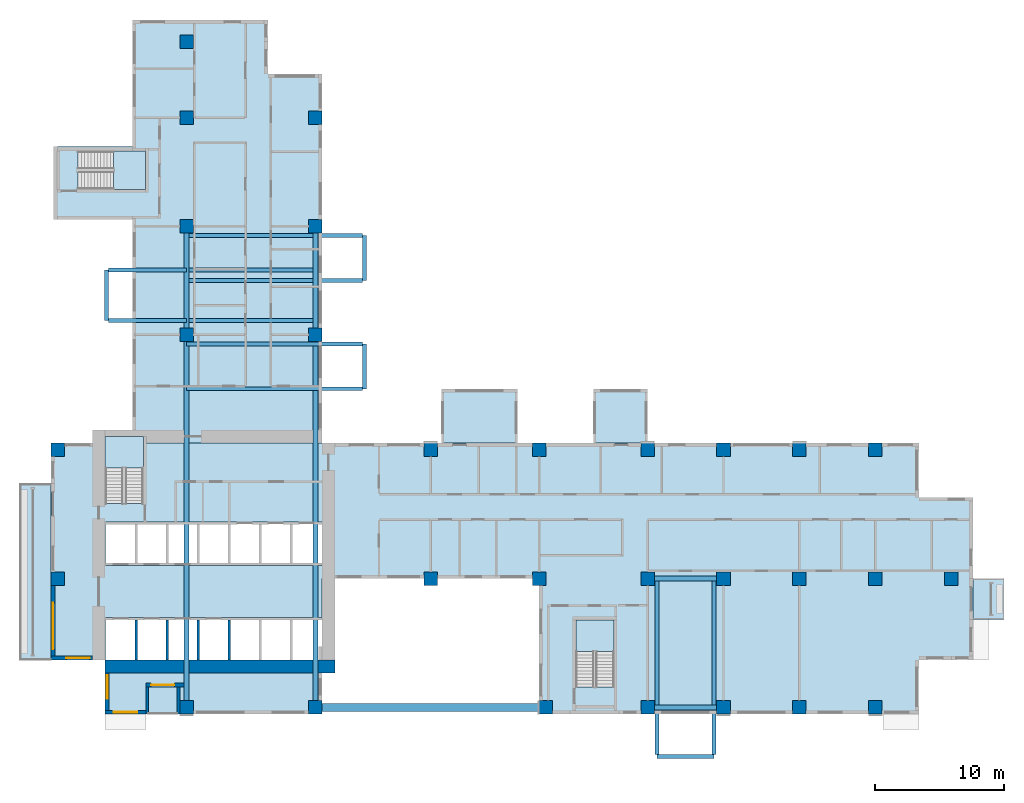
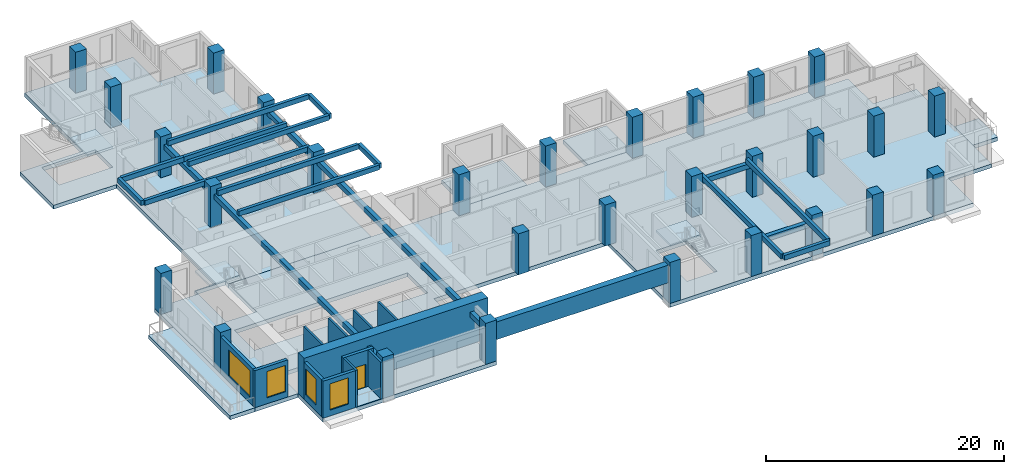
# One storey, part 1 of 14: 29 columns, 21 beams, 12 walls, 10 slabs, 4 windows, 1 door, 5 openings, 3 elements without a shape of their own.
"""IFC4 building model written with IfcOpenShell, lengths in metres."""

from ifc_helpers import new_model, si_unit, direction, frame, frame_2d, origin, origin_2d, place, context, subcontext, project, spatial, polyline, rectangle, outline, extrude, source, transform, mapped, material, layer, layer_set, material_profile, profile_set, type_object, element, fill, aggregate, save


model = new_model("IFC4")

# Units and contexts
model_context = context("Model", 3, precision=1e-05, world=origin(), true_north=direction((0.0, 1.0)))
body_context = subcontext(model_context, "Body", "Model", "MODEL_VIEW")
ifc_project = project(units=[si_unit("LENGTHUNIT", "METRE"), si_unit("AREAUNIT", "SQUARE_METRE"), si_unit("VOLUMEUNIT", "CUBIC_METRE"), si_unit("PLANEANGLEUNIT", "RADIAN"), si_unit("MASSUNIT", "GRAM", prefix="KILO")], contexts=[model_context])

# Site, building, storey
site_placement = place(None, origin())
site = spatial("IfcSite", under=ifc_project, at=site_placement, CompositionType="ELEMENT")
building_placement = place(site_placement, origin())
building = spatial("IfcBuilding", under=site, at=building_placement, Name="Aurelian Terraces", CompositionType="ELEMENT")
storey_placement = place(building_placement, frame((0.0, 0.0, 103.5)))
storey = spatial("IfcBuildingStorey", under=building, at=storey_placement, Name="L22", CompositionType="ELEMENT", Elevation=103.5)

# Columns
ifc_material_1 = material(Name="Concrete fc' 83 MPa", Category="concrete")
ifc_material_profile_1 = material_profile(ifc_material_1, rectangle(XDim=1.05, YDim=1.05, at=origin_2d()))
ifc_profile_set_1 = profile_set([ifc_material_profile_1], Name="Concrete fc' 83 MPa")
column_type = type_object("IfcColumnType", Name="RC COLUMN 1050X1050 FC83", PredefinedType="COLUMN", material=ifc_profile_set_1)
column_placement = place(storey_placement, frame((10.5, 0.525, 0.0), z_axis=(0.0, 0.0, 1.0), x_axis=(1.0, 0.0, 0.0)))
element("IfcColumn", 1, at=column_placement, inside=storey, type_object=column_type, Name="Column 2/A L22", PredefinedType="COLUMN", context=body_context, shape_type="SweptSolid", body=[
    extrude(rectangle(XDim=1.05, YDim=1.05, at=origin_2d()), origin(), (0.0, 0.0, 1.0), 4.2),
])
shared_shape_1 = source(origin(), body_context, "Body", "SweptSolid", [
    extrude(rectangle(XDim=1.05, YDim=1.05, at=origin_2d()), origin(), (0.0, 0.0, 1.0), 4.2),
])
for number, where, z_axis, x_axis, name in (
    (2, (20.475, 0.525, 0.0), (0.0, 0.0, 1.0), (1.0, 0.0, 0.0), "Column 3/A L22"),
    (3, (38.325, 0.525, 0.0), (0.0, 0.0, 1.0), (1.0, 0.0, 0.0), "Column 5/A L22"),
    (4, (46.2, 0.525, 0.0), (0.0, 0.0, 1.0), (1.0, 0.0, 0.0), "Column 6/A L22"),
    (5, (52.08, 0.525, 0.0), (0.0, 0.0, 1.0), (1.0, 0.0, 0.0), "Column 7/A L22"),
    (6, (57.96, 0.525, 0.0), (0.0, 0.0, 1.0), (1.0, 0.0, 0.0), "Column 8/A L22"),
    (7, (63.84, 0.525, 0.0), (0.0, 0.0, 1.0), (1.0, 0.0, 0.0), "Column 9/A L22"),
    (8, (0.525, 10.5, 0.0), (0.0, 0.0, 1.0), (1.0, 0.0, 0.0), "Column 1/B L22"),
    (9, (29.4, 10.5, 0.0), (0.0, 0.0, 1.0), (1.0, 0.0, 0.0), "Column 4/B L22"),
    (10, (37.8, 10.5, 0.0), (0.0, 0.0, 1.0), (1.0, 0.0, 0.0), "Column 5/B L22"),
    (11, (46.2, 10.5, 0.0), (0.0, 0.0, 1.0), (1.0, 0.0, 0.0), "Column 6/B L22"),
    (12, (52.08, 10.5, 0.0), (0.0, 0.0, 1.0), (1.0, 0.0, 0.0), "Column 7/B L22"),
    (13, (57.96, 10.5, 0.0), (0.0, 0.0, 1.0), (1.0, 0.0, 0.0), "Column 8/B L22"),
    (14, (63.84, 10.5, 0.0), (0.0, 0.0, 1.0), (1.0, 0.0, 0.0), "Column 9/B L22"),
    (15, (69.72, 10.5, 0.0), (0.0, 0.0, 1.0), (1.0, 0.0, 0.0), "Column 10/B L22"),
    (16, (0.525, 20.475, 0.0), (0.0, 0.0, 1.0), (1.0, 0.0, 0.0), "Column 1/C L22"),
    (17, (29.4, 20.475, 0.0), (0.0, 0.0, 1.0), (1.0, 0.0, 0.0), "Column 4/C L22"),
    (18, (37.8, 20.475, 0.0), (0.0, 0.0, 1.0), (1.0, 0.0, 0.0), "Column 5/C L22"),
    (19, (46.2, 20.475, 0.0), (0.0, 0.0, 1.0), (1.0, 0.0, 0.0), "Column 6/C L22"),
    (20, (52.08, 20.475, 0.0), (0.0, 0.0, 1.0), (1.0, 0.0, 0.0), "Column 7/C L22"),
    (21, (57.96, 20.475, 0.0), (0.0, 0.0, 1.0), (1.0, 0.0, 0.0), "Column 8/C L22"),
    (22, (63.84, 20.475, 0.0), (0.0, 0.0, 1.0), (1.0, 0.0, 0.0), "Column 9/C L22"),
    (23, (10.5, 29.4, 0.0), (0.0, 0.0, 1.0), (1.0, 0.0, 0.0), "Column 2/D L22"),
    (24, (20.475, 29.4, 0.0), (0.0, 0.0, 1.0), (1.0, 0.0, 0.0), "Column 3/D L22"),
    (25, (10.5, 37.8, 0.0), (0.0, 0.0, 1.0), (1.0, 0.0, 0.0), "Column 2/E L22"),
    (26, (20.475, 37.8, 0.0), (0.0, 0.0, 1.0), (1.0, 0.0, 0.0), "Column 3/E L22"),
    (27, (10.5, 46.2, 0.0), (0.0, 0.0, 1.0), (1.0, 0.0, 0.0), "Column 2/F L22"),
    (28, (20.475, 46.2, 0.0), (0.0, 0.0, 1.0), (1.0, 0.0, 0.0), "Column 3/F L22"),
    (29, (10.5, 52.08, 0.0), (0.0, 0.0, 1.0), (1.0, 0.0, 0.0), "Column 2/G L22"),
):
    element("IfcColumn", number, at=place(storey_placement, frame(where, z_axis=z_axis, x_axis=x_axis)), inside=storey, type_object=column_type, Name=name, PredefinedType="COLUMN", context=body_context, shape_type="MappedRepresentation", body=[
        mapped(shared_shape_1, transform((0.0, 0.0, 0.0), scale=1.0)),
    ])

# Beams
ifc_material_2 = material(Name="Concrete fc' 40 MPa", Category="concrete")
ifc_material_profile_2 = material_profile(ifc_material_2, rectangle(XDim=0.3, YDim=0.5, at=origin_2d()))
ifc_profile_set_2 = profile_set([ifc_material_profile_2], Name="Concrete fc' 40 MPa")
beam_type_1 = type_object("IfcBeamType", Name="CONCRETE BOX CANTILEVER BEAM 300X500", PredefinedType="BEAM", material=ifc_profile_set_2)
beam_1_placement = place(storey_placement, frame((4.45, 30.5, 3.55), z_axis=(1.0, 0.0, 0.0), x_axis=(0.0, 1.0, 0.0)))
element("IfcBeam", 30, at=beam_1_placement, inside=storey, type_object=beam_type_1, Name="Box cantilever beam J34.1", PredefinedType="BEAM", context=body_context, shape_type="SweptSolid", body=[
    extrude(rectangle(XDim=0.3, YDim=0.5, at=origin_2d()), origin(), (0.0, 0.0, 1.0), 6.05),
])
ifc_material_profile_3 = material_profile(ifc_material_2, rectangle(XDim=0.3, YDim=0.5, at=origin_2d()))
ifc_profile_set_3 = profile_set([ifc_material_profile_3], Name="Concrete fc' 40 MPa")
beam_type_2 = type_object("IfcBeamType", Name="CONCRETE CANTILEVER BEAM 300X500", PredefinedType="BEAM", material=ifc_profile_set_3)
beam_2_placement = place(storey_placement, frame((46.925, -3.125, 3.55), z_axis=(0.0, 1.0, 0.0), x_axis=(-1.0, 0.0, 0.0)))
element("IfcBeam", 31, at=beam_2_placement, inside=storey, type_object=beam_type_2, Name="Box cantilever beam J31.1", PredefinedType="BEAM", context=body_context, shape_type="SweptSolid", body=[
    extrude(rectangle(XDim=0.3, YDim=0.5, at=origin_2d()), origin(), (0.0, 0.0, 1.0), 13.625),
])
beam_3_placement = place(storey_placement, frame((46.925, -3.275, 3.55), z_axis=(1.0, 0.0, 0.0), x_axis=(0.0, 1.0, 0.0)))
element("IfcBeam", 32, at=beam_3_placement, inside=storey, type_object=beam_type_2, Name="Box tip beam J31", PredefinedType="BEAM", context=body_context, shape_type="SweptSolid", body=[
    extrude(rectangle(XDim=0.3, YDim=0.5, at=origin_2d()), origin(), (0.0, 0.0, 1.0), 4.43),
])
beam_4_placement = place(storey_placement, frame((24.275, 25.2, 3.55), z_axis=(0.0, 1.0, 0.0), x_axis=(-1.0, 0.0, 0.0)))
element("IfcBeam", 33, at=beam_4_placement, inside=storey, type_object=beam_type_2, Name="Box tip beam J32", PredefinedType="BEAM", context=body_context, shape_type="SweptSolid", body=[
    extrude(rectangle(XDim=0.3, YDim=0.5, at=origin_2d()), origin(), (0.0, 0.0, 1.0), 3.475),
])
beam_5_placement = place(storey_placement, frame((10.5, 30.5, 3.55), z_axis=(1.0, 0.0, 0.0), x_axis=(0.0, 1.0, 0.0)))
element("IfcBeam", 34, at=beam_5_placement, inside=storey, type_object=beam_type_2, Name="Box back-span beam J34.1", PredefinedType="BEAM", context=body_context, shape_type="SweptSolid", body=[
    extrude(rectangle(XDim=0.3, YDim=0.5, at=origin_2d()), origin(), (0.0, 0.0, 1.0), 9.975),
])
beam_6_placement = place(storey_placement, frame((4.3, 30.5, 3.55), z_axis=(0.0, 1.0, 0.0), x_axis=(-1.0, 0.0, 0.0)))
element("IfcBeam", 35, at=beam_6_placement, inside=storey, type_object=beam_type_2, Name="Box tip beam J34", PredefinedType="BEAM", context=body_context, shape_type="SweptSolid", body=[
    extrude(rectangle(XDim=0.3, YDim=0.5, at=origin_2d()), origin(), (0.0, 0.0, 1.0), 3.9),
])
ifc_material_profile_4 = material_profile(ifc_material_2, rectangle(XDim=0.4, YDim=0.5, at=origin_2d()))
ifc_profile_set_4 = profile_set([ifc_material_profile_4], Name="Concrete fc' 40 MPa")
beam_type_3 = type_object("IfcBeamType", Name="CONCRETE EDGE GIRDER 400X500", PredefinedType="BEAM", material=ifc_profile_set_4)
beam_7_placement = place(storey_placement, frame((46.725, 0.525, 3.05), z_axis=(1.0, 0.0, 0.0), x_axis=(0.0, 1.0, 0.0)))
element("IfcBeam", 36, at=beam_7_placement, inside=storey, type_object=beam_type_3, Name="Box girder L22 O65", PredefinedType="BEAM", context=body_context, shape_type="SweptSolid", body=[
    extrude(rectangle(XDim=0.4, YDim=0.5, at=origin_2d()), origin(), (0.0, 0.0, 1.0), 4.83),
])
beam_8_placement = place(storey_placement, frame((20.475, 1.05, 3.05), z_axis=(0.0, 1.0, 0.0), x_axis=(-1.0, 0.0, 0.0)))
element("IfcBeam", 37, at=beam_8_placement, inside=storey, type_object=beam_type_3, Name="Box girder L22 O67", PredefinedType="BEAM", context=body_context, shape_type="SweptSolid", body=[
    extrude(rectangle(XDim=0.4, YDim=0.5, at=origin_2d()), origin(), (0.0, 0.0, 1.0), 27.825),
])
beam_9_placement = place(storey_placement, frame((20.475, 29.925, 3.05), z_axis=(0.0, 1.0, 0.0), x_axis=(-1.0, 0.0, 0.0)))
element("IfcBeam", 38, at=beam_9_placement, inside=storey, type_object=beam_type_3, Name="Box girder L22 O69", PredefinedType="BEAM", context=body_context, shape_type="SweptSolid", body=[
    extrude(rectangle(XDim=0.4, YDim=0.5, at=origin_2d()), origin(), (0.0, 0.0, 1.0), 7.35),
])
ifc_material_3 = material(Name="Concrete fc' 70 MPa", Category="concrete")
ifc_material_profile_5 = material_profile(ifc_material_3, rectangle(XDim=0.6, YDim=1.8, at=origin_2d()))
ifc_profile_set_5 = profile_set([ifc_material_profile_5], Name="Concrete fc' 70 MPa")
beam_type_4 = type_object("IfcBeamType", Name="CONCRETE HEAD GIRDER 600X1800", PredefinedType="BEAM", material=ifc_profile_set_5)
shared_shape_2 = source(origin(), body_context, "Body", "SweptSolid", [
    extrude(rectangle(XDim=0.6, YDim=1.8, at=origin_2d()), origin(), (0.0, 0.0, 1.0), 16.8),
])
beam_10_placement = place(storey_placement, frame((21.0, 0.525, 2.9), z_axis=(1.0, 0.0, 0.0), x_axis=(0.0, 1.0, 0.0)))
element("IfcBeam", 39, at=beam_10_placement, inside=storey, type_object=beam_type_4, Name="Sky terrace head girder SKY-03.1", PredefinedType="BEAM", context=body_context, shape_type="MappedRepresentation", body=[
    mapped(shared_shape_2, transform((0.0, 0.0, 0.0), scale=1.0)),
])
shared_shape_3 = source(origin(), body_context, "Body", "SweptSolid", [
    extrude(rectangle(XDim=0.4, YDim=0.5, at=origin_2d()), origin(), (0.0, 0.0, 1.0), 4.83),
])
beam_11_placement = place(storey_placement, frame((46.725, 10.5, 3.05), z_axis=(1.0, 0.0, 0.0), x_axis=(0.0, 1.0, 0.0)))
element("IfcBeam", 40, at=beam_11_placement, inside=storey, type_object=beam_type_3, Name="Box girder L22 I66", PredefinedType="BEAM", context=body_context, shape_type="MappedRepresentation", body=[
    mapped(shared_shape_3, transform((0.0, 0.0, 0.0), scale=1.0)),
])
shared_shape_4 = source(origin(), body_context, "Body", "SweptSolid", [
    extrude(rectangle(XDim=0.3, YDim=0.5, at=origin_2d()), origin(), (0.0, 0.0, 1.0), 13.625),
])
for number, where, z_axis, x_axis, name in (
    (41, (51.355, -3.125, 3.55), (0.0, 1.0, 0.0), (-1.0, 0.0, 0.0), "Box cantilever beam J31.2"),
    (42, (24.125, 25.2, 3.55), (-1.0, 0.0, 0.0), (0.0, -1.0, 0.0), "Box cantilever beam J32.1"),
    (43, (24.125, 28.675, 3.55), (-1.0, 0.0, 0.0), (0.0, -1.0, 0.0), "Box cantilever beam J32.2"),
    (44, (24.125, 33.6, 3.55), (-1.0, 0.0, 0.0), (0.0, -1.0, 0.0), "Box cantilever beam J33.1"),
    (45, (24.125, 37.075, 3.55), (-1.0, 0.0, 0.0), (0.0, -1.0, 0.0), "Box cantilever beam J33.2"),
):
    element("IfcBeam", number, at=place(storey_placement, frame(where, z_axis=z_axis, x_axis=x_axis)), inside=storey, type_object=beam_type_2, Name=name, PredefinedType="BEAM", context=body_context, shape_type="MappedRepresentation", body=[
        mapped(shared_shape_4, transform((0.0, 0.0, 0.0), scale=1.0)),
    ])
shared_shape_5 = source(origin(), body_context, "Body", "SweptSolid", [
    extrude(rectangle(XDim=0.4, YDim=0.5, at=origin_2d()), origin(), (0.0, 0.0, 1.0), 27.825),
])
beam_12_placement = place(storey_placement, frame((10.5, 1.05, 3.05), z_axis=(0.0, 1.0, 0.0), x_axis=(-1.0, 0.0, 0.0)))
element("IfcBeam", 46, at=beam_12_placement, inside=storey, type_object=beam_type_3, Name="Box girder L22 I68", PredefinedType="BEAM", context=body_context, shape_type="MappedRepresentation", body=[
    mapped(shared_shape_5, transform((0.0, 0.0, 0.0), scale=1.0)),
])
shared_shape_6 = source(origin(), body_context, "Body", "SweptSolid", [
    extrude(rectangle(XDim=0.4, YDim=0.5, at=origin_2d()), origin(), (0.0, 0.0, 1.0), 7.35),
])
beam_13_placement = place(storey_placement, frame((10.5, 29.925, 3.05), z_axis=(0.0, 1.0, 0.0), x_axis=(-1.0, 0.0, 0.0)))
element("IfcBeam", 47, at=beam_13_placement, inside=storey, type_object=beam_type_3, Name="Box girder L22 I70", PredefinedType="BEAM", context=body_context, shape_type="MappedRepresentation", body=[
    mapped(shared_shape_6, transform((0.0, 0.0, 0.0), scale=1.0)),
])
shared_shape_7 = source(origin(), body_context, "Body", "SweptSolid", [
    extrude(rectangle(XDim=0.3, YDim=0.5, at=origin_2d()), origin(), (0.0, 0.0, 1.0), 3.475),
])
beam_14_placement = place(storey_placement, frame((24.275, 33.6, 3.55), z_axis=(0.0, 1.0, 0.0), x_axis=(-1.0, 0.0, 0.0)))
element("IfcBeam", 48, at=beam_14_placement, inside=storey, type_object=beam_type_2, Name="Box tip beam J33", PredefinedType="BEAM", context=body_context, shape_type="MappedRepresentation", body=[
    mapped(shared_shape_7, transform((0.0, 0.0, 0.0), scale=1.0)),
])
shared_shape_8 = source(origin(), body_context, "Body", "SweptSolid", [
    extrude(rectangle(XDim=0.3, YDim=0.5, at=origin_2d()), origin(), (0.0, 0.0, 1.0), 6.05),
])
beam_15_placement = place(storey_placement, frame((4.45, 34.4, 3.55), z_axis=(1.0, 0.0, 0.0), x_axis=(0.0, 1.0, 0.0)))
element("IfcBeam", 49, at=beam_15_placement, inside=storey, type_object=beam_type_1, Name="Box cantilever beam J34.2", PredefinedType="BEAM", context=body_context, shape_type="MappedRepresentation", body=[
    mapped(shared_shape_8, transform((0.0, 0.0, 0.0), scale=1.0)),
])
shared_shape_9 = source(origin(), body_context, "Body", "SweptSolid", [
    extrude(rectangle(XDim=0.3, YDim=0.5, at=origin_2d()), origin(), (0.0, 0.0, 1.0), 9.975),
])
beam_16_placement = place(storey_placement, frame((10.5, 34.4, 3.55), z_axis=(1.0, 0.0, 0.0), x_axis=(0.0, 1.0, 0.0)))
element("IfcBeam", 50, at=beam_16_placement, inside=storey, type_object=beam_type_2, Name="Box back-span beam J34.2", PredefinedType="BEAM", context=body_context, shape_type="MappedRepresentation", body=[
    mapped(shared_shape_9, transform((0.0, 0.0, 0.0), scale=1.0)),
])

# Slabs
ifc_layer_1 = layer(ifc_material_2, 0.4)
ifc_layer_set_1 = layer_set([ifc_layer_1], Name="Balcony slab 400")
slab_type_1 = type_object("IfcSlabType", Name="Balcony slab 400", PredefinedType="NOTDEFINED", material=ifc_layer_set_1)
slab_1_placement = place(storey_placement, frame((0.0, 0.0, -0.4)))
element("IfcSlab", 51, at=slab_1_placement, inside=storey, type_object=slab_type_1, Name="Balcony slab L22 F24.41", PredefinedType="NOTDEFINED", context=body_context, shape_type="SweptSolid", body=[
    extrude(outline(polyline([(0.0, 17.85), (0.0, 4.2), (-2.4, 4.2), (-2.4, 17.85), (0.0, 17.85)])), origin(), (0.0, 0.0, 1.0), 0.4),
])
ifc_layer_2 = layer(ifc_material_2, 0.41)
ifc_layer_set_2 = layer_set([ifc_layer_2], Name="Box floor 410")
slab_type_2 = type_object("IfcSlabType", Name="Box floor 410", PredefinedType="NOTDEFINED", material=ifc_layer_set_2)
slab_2_placement = place(storey_placement, frame((0.0, 0.0, -0.41)))
element("IfcSlab", 52, at=slab_2_placement, inside=storey, type_object=slab_type_2, Name="Box floor L22 J30", PredefinedType="NOTDEFINED", context=body_context, shape_type="SweptSolid", body=[
    extrude(outline(polyline([(46.2, 25.2), (42.0, 25.2), (42.0, 21.0), (46.2, 21.0), (46.2, 25.2)])), origin(), (0.0, 0.0, 1.0), 0.41),
])
ifc_material_4 = material(Name="Granite paving", Category="masonry")
ifc_layer_3 = layer(ifc_material_4, 0.05)
ifc_layer_set_3 = layer_set([ifc_layer_3], Name="Loggia paving 50")
slab_type_3 = type_object("IfcSlabType", Name="Loggia paving 50", PredefinedType="NOTDEFINED", material=ifc_layer_set_3)
slab_3_placement = place(storey_placement, origin())
element("IfcSlab", 53, at=slab_3_placement, inside=storey, type_object=slab_type_3, Name="Loggia floor L22 F01.2", PredefinedType="NOTDEFINED", context=body_context, shape_type="SweptSolid", body=[
    extrude(outline(polyline([(7.55, 0.0), (9.775, 0.0), (9.775, 2.1), (7.55, 2.1), (7.55, 0.0)])), origin(), (0.0, 0.0, 1.0), 0.05),
])
ifc_layer_4 = layer(ifc_material_2, 0.4)
ifc_layer_set_4 = layer_set([ifc_layer_4], Name="PT FLAT PLATE 400")
slab_type_4 = type_object("IfcSlabType", Name="PT FLAT PLATE 400", PredefinedType="FLOOR", material=ifc_layer_set_4)
shared_shape_10 = source(origin(), body_context, "Body", "SweptSolid", [
    extrude(outline(polyline([(71.4, 16.8), (71.4, 4.2), (67.2, 4.2), (67.2, 0.0), (37.8, 0.0), (37.8, 10.5), (21.0, 10.5), (21.0, 0.0), (4.2, 0.0), (4.2, 4.2), (0.0, 4.2), (0.0, 21.0), (4.21, 21.0), (4.21, 16.31), (7.14, 16.31), (7.14, 21.0), (21.0, 21.0), (67.2, 21.0), (67.2, 16.8), (71.4, 16.8)]), holes=[polyline([(40.66, 2.11), (43.59, 2.11), (43.59, 7.29), (40.66, 7.29), (40.66, 2.11)]), polyline([(4.21, 7.49), (4.21, 4.21), (20.99, 4.21), (20.99, 7.49), (4.21, 7.49)]), polyline([(4.21, 14.89), (4.21, 11.51), (20.99, 11.51), (20.99, 14.89), (4.21, 14.89)])]), origin(), (0.0, 0.0, 1.0), 0.4),
])
slab_4_placement = place(storey_placement, frame((0.0, 0.0, -0.4)))
element("IfcSlab", 54, at=slab_4_placement, inside=storey, type_object=slab_type_4, Name="Floor slab S L22", PredefinedType="FLOOR", context=body_context, shape_type="MappedRepresentation", body=[
    mapped(shared_shape_10, transform((0.0, 0.0, 0.0), scale=1.0)),
])
shared_shape_11 = source(origin(), body_context, "Body", "SweptSolid", [
    extrude(outline(polyline([(0.2, 43.95), (6.3, 43.95), (6.3, 49.56), (6.3, 53.76), (10.5, 53.76), (16.8, 53.76), (16.8, 49.56), (21.0, 49.56), (21.0, 21.0), (7.14, 21.0), (7.14, 21.49), (4.21, 21.49), (4.21, 21.0), (4.2, 21.0), (4.2, 21.6), (6.3, 21.6), (6.3, 38.3), (0.2, 38.3), (0.2, 43.95)]), holes=[polyline([(7.29, 43.59), (2.11, 43.59), (2.11, 40.66), (7.29, 40.66), (7.29, 43.59)])]), origin(), (0.0, 0.0, 1.0), 0.4),
])
slab_5_placement = place(storey_placement, frame((0.0, 0.0, -0.4)))
element("IfcSlab", 55, at=slab_5_placement, inside=storey, type_object=slab_type_4, Name="Floor slab W L22", PredefinedType="FLOOR", context=body_context, shape_type="MappedRepresentation", body=[
    mapped(shared_shape_11, transform((0.0, 0.0, 0.0), scale=1.0)),
])
shared_shape_12 = source(origin(), body_context, "Body", "SweptSolid", [
    extrude(outline(polyline([(36.12, 25.2), (30.24, 25.2), (30.24, 21.0), (36.12, 21.0), (36.12, 25.2)])), origin(), (0.0, 0.0, 1.0), 0.41),
])
slab_6_placement = place(storey_placement, frame((0.0, 0.0, -0.41)))
element("IfcSlab", 56, at=slab_6_placement, inside=storey, type_object=slab_type_2, Name="Box floor L22 J29", PredefinedType="NOTDEFINED", context=body_context, shape_type="MappedRepresentation", body=[
    mapped(shared_shape_12, transform((0.0, 0.0, 0.0), scale=1.0)),
])
shared_shape_13 = source(origin(), body_context, "Body", "SweptSolid", [
    extrude(outline(polyline([(71.4, 7.35), (71.4, 10.5), (73.8, 10.5), (73.8, 7.35), (71.4, 7.35)])), origin(), (0.0, 0.0, 1.0), 0.4),
])
slab_7_placement = place(storey_placement, frame((0.0, 0.0, -0.4)))
element("IfcSlab", 57, at=slab_7_placement, inside=storey, type_object=slab_type_1, Name="Balcony slab L22 F08.18", PredefinedType="NOTDEFINED", context=body_context, shape_type="MappedRepresentation", body=[
    mapped(shared_shape_13, transform((0.0, 0.0, 0.0), scale=1.0)),
])

# Stair, slab
stair_type = type_object("IfcStairType", Name="Stair 1400", PredefinedType="HALF_TURN_STAIR", material=ifc_material_2)
stair_1_placement = place(storey_placement, origin())
stair_1 = element("IfcStair", 58, at=stair_1_placement, inside=storey, type_object=stair_type, Name="L22 S1", PredefinedType="HALF_TURN_STAIR")
ifc_layer_5 = layer(ifc_material_2, 0.2)
ifc_layer_set_5 = layer_set([ifc_layer_5], Name="Stair landing 200")
slab_type_5 = type_object("IfcSlabType", Name="Stair landing 200", PredefinedType="LANDING", material=ifc_layer_set_5)
shared_shape_14 = source(origin(), body_context, "Body", "SweptSolid", [
    extrude(outline(polyline([(7.15, 19.05), (7.15, 21.5), (4.2, 21.5), (4.2, 19.05), (7.15, 19.05)])), origin(), (0.0, 0.0, 1.0), 0.2),
])
slab_8_placement = place(storey_placement, frame((0.0, 0.0, 1.9)))
slab_8 = element("IfcSlab", 59, at=slab_8_placement, type_object=slab_type_5, Name="S1 landing 1", PredefinedType="LANDING", context=body_context, shape_type="MappedRepresentation", body=[
    mapped(shared_shape_14, transform((0.0, 0.0, 0.0), scale=1.0)),
])
aggregate(stair_1, [slab_8])

stair_2_placement = place(storey_placement, origin())
stair_2 = element("IfcStair", 60, at=stair_2_placement, inside=storey, type_object=stair_type, Name="L22 S2", PredefinedType="HALF_TURN_STAIR")
shared_shape_15 = source(origin(), body_context, "Body", "SweptSolid", [
    extrude(outline(polyline([(43.6, 4.85), (43.6, 7.3), (40.65, 7.3), (40.65, 4.85), (43.6, 4.85)])), origin(), (0.0, 0.0, 1.0), 0.2),
])
slab_9_placement = place(storey_placement, frame((0.0, 0.0, 1.9)))
slab_9 = element("IfcSlab", 61, at=slab_9_placement, type_object=slab_type_5, Name="S2 landing 1", PredefinedType="LANDING", context=body_context, shape_type="MappedRepresentation", body=[
    mapped(shared_shape_15, transform((0.0, 0.0, 0.0), scale=1.0)),
])
aggregate(stair_2, [slab_9])

stair_3_placement = place(storey_placement, origin())
stair_3 = element("IfcStair", 62, at=stair_3_placement, inside=storey, type_object=stair_type, Name="L22 S3", PredefinedType="HALF_TURN_STAIR")
shared_shape_16 = source(origin(), body_context, "Body", "SweptSolid", [
    extrude(outline(polyline([(4.85, 40.65), (7.3, 40.65), (7.3, 43.6), (4.85, 43.6), (4.85, 40.65)])), origin(), (0.0, 0.0, 1.0), 0.2),
])
slab_10_placement = place(storey_placement, frame((0.0, 0.0, 1.9)))
slab_10 = element("IfcSlab", 63, at=slab_10_placement, type_object=slab_type_5, Name="S3 landing 1", PredefinedType="LANDING", context=body_context, shape_type="MappedRepresentation", body=[
    mapped(shared_shape_16, transform((0.0, 0.0, 0.0), scale=1.0)),
])
aggregate(stair_3, [slab_10])

# Wall, opening, window
ifc_material_5 = material(Name="Terracotta rainscreen cladding", Category="masonry")
ifc_layer_6 = layer(ifc_material_5, 0.3)
ifc_layer_set_6 = layer_set([ifc_layer_6], Name="EW-300")
wall_type_1 = type_object("IfcWallType", Name="EW-300", PredefinedType="STANDARD", material=ifc_layer_set_6)
wall_1_placement = place(storey_placement, frame((0.15, 9.975, 0.0), z_axis=(0.0, 0.0, 1.0), x_axis=(0.0, -1.0, 0.0)))
wall_1 = element("IfcWall", 64, at=wall_1_placement, inside=storey, type_object=wall_type_1, Name="External wall L22 F24.41", PredefinedType="STANDARD", context=body_context, shape_type="SweptSolid", body=[
    extrude(rectangle(XDim=5.775, YDim=0.3, at=frame_2d((2.8875, 0.0))), origin(), (0.0, 0.0, 1.0), 3.8),
])
shared_shape_17 = source(origin(), body_context, "Body", "SweptSolid", [
    extrude(rectangle(XDim=3.6, YDim=2.7, at=frame_2d((1.8, 1.35))), frame((0.0, 0.16, 0.0), z_axis=(0.0, -1.0, 0.0), x_axis=(1.0, 0.0, 0.0)), (0.0, 0.0, 1.0), 0.32),
])
opening_1_placement = place(wall_1_placement, frame((1.35, 0.0, 0.6)))
opening_1 = element("IfcOpeningElement", 65, at=opening_1_placement, cuts=wall_1, Name="Opening W3627", PredefinedType="OPENING", context=body_context, shape_type="MappedRepresentation", body=[
    mapped(shared_shape_17, transform((0.0, 0.0, 0.0), scale=1.0)),
])
ifc_material_6 = material(Name="Clear glazing", Category="glass")
window_type_1 = type_object("IfcWindowType", Name="W-3600x2700", PartitioningType="SINGLE_PANEL", PredefinedType="WINDOW", material=ifc_material_6)
shared_shape_18 = source(origin(), body_context, "Body", "SweptSolid", [
    extrude(rectangle(XDim=3.6, YDim=2.7, at=frame_2d((1.8, 1.35))), frame((0.0, 0.03, 0.0), z_axis=(0.0, -1.0, 0.0), x_axis=(1.0, 0.0, 0.0)), (0.0, 0.0, 1.0), 0.06),
])
window_1_placement = place(opening_1_placement, origin())
window_1 = element("IfcWindow", 66, at=window_1_placement, inside=storey, type_object=window_type_1, Name="Window L22 L22-F24-41-2", OverallHeight=2.7, OverallWidth=3.6, PartitioningType="SINGLE_PANEL", PredefinedType="WINDOW", context=body_context, shape_type="MappedRepresentation", body=[
    mapped(shared_shape_18, transform((0.0, 0.0, 0.0), scale=1.0)),
])
fill(opening_1, window_1)

wall_2_placement = place(storey_placement, frame((0.0, 4.35, 0.0), z_axis=(0.0, 0.0, 1.0), x_axis=(1.0, 0.0, 0.0)))
wall_2 = element("IfcWall", 67, at=wall_2_placement, inside=storey, type_object=wall_type_1, Name="External wall L22 F25.42", PredefinedType="STANDARD", context=body_context, shape_type="SweptSolid", body=[
    extrude(rectangle(XDim=3.2, YDim=0.3, at=frame_2d((1.6, 0.0))), origin(), (0.0, 0.0, 1.0), 3.8),
])
shared_shape_19 = source(origin(), body_context, "Body", "SweptSolid", [
    extrude(rectangle(XDim=1.8, YDim=2.7, at=frame_2d((0.9, 1.35))), frame((0.0, 0.16, 0.0), z_axis=(0.0, -1.0, 0.0), x_axis=(1.0, 0.0, 0.0)), (0.0, 0.0, 1.0), 0.32),
])
opening_2_placement = place(wall_2_placement, frame((1.2, 0.0, 0.6)))
opening_2 = element("IfcOpeningElement", 68, at=opening_2_placement, cuts=wall_2, Name="Opening W1827", PredefinedType="OPENING", context=body_context, shape_type="MappedRepresentation", body=[
    mapped(shared_shape_19, transform((0.0, 0.0, 0.0), scale=1.0)),
])
window_type_2 = type_object("IfcWindowType", Name="W-1800x2700", PartitioningType="SINGLE_PANEL", PredefinedType="WINDOW", material=ifc_material_6)
shared_shape_20 = source(origin(), body_context, "Body", "SweptSolid", [
    extrude(rectangle(XDim=1.8, YDim=2.7, at=frame_2d((0.9, 1.35))), frame((0.0, 0.03, 0.0), z_axis=(0.0, -1.0, 0.0), x_axis=(1.0, 0.0, 0.0)), (0.0, 0.0, 1.0), 0.06),
])
window_2_placement = place(opening_2_placement, origin())
window_2 = element("IfcWindow", 69, at=window_2_placement, inside=storey, type_object=window_type_2, Name="Window L22 L22-F25-42-0", OverallHeight=2.7, OverallWidth=1.8, PartitioningType="SINGLE_PANEL", PredefinedType="WINDOW", context=body_context, shape_type="MappedRepresentation", body=[
    mapped(shared_shape_20, transform((0.0, 0.0, 0.0), scale=1.0)),
])
fill(opening_2, window_2)

# Wall
ifc_layer_7 = layer(ifc_material_1, 1.0)
ifc_layer_set_7 = layer_set([ifc_layer_7], Name="CORE WALL 1000 FC83")
wall_type_2 = type_object("IfcWallType", Name="CORE WALL 1000 FC83", PredefinedType="SHEAR", material=ifc_layer_set_7)
shared_shape_21 = source(origin(), body_context, "Body", "SweptSolid", [
    extrude(rectangle(XDim=17.8, YDim=1.0, at=frame_2d((8.9, 0.0))), origin(), (0.0, 0.0, 1.0), 4.2),
])
wall_3_placement = place(storey_placement, frame((4.2, 3.7, 0.0), z_axis=(0.0, 0.0, 1.0), x_axis=(1.0, 0.0, 0.0)))
element("IfcWall", 70, at=wall_3_placement, inside=storey, type_object=wall_type_2, Name="Core wall S L22", PredefinedType="SHEAR", context=body_context, shape_type="MappedRepresentation", body=[
    mapped(shared_shape_21, transform((0.0, 0.0, 0.0), scale=1.0)),
])

# Wall, opening, window
shared_shape_22 = source(origin(), body_context, "Body", "SweptSolid", [
    extrude(rectangle(XDim=3.15, YDim=0.3, at=frame_2d((1.575, 0.0))), origin(), (0.0, 0.0, 1.0), 3.8),
])
wall_4_placement = place(storey_placement, frame((4.2, 0.15, 0.0), z_axis=(0.0, 0.0, 1.0), x_axis=(1.0, 0.0, 0.0)))
wall_4 = element("IfcWall", 71, at=wall_4_placement, inside=storey, type_object=wall_type_1, Name="External wall L22 F01.1", PredefinedType="STANDARD", context=body_context, shape_type="MappedRepresentation", body=[
    mapped(shared_shape_22, transform((0.0, 0.0, 0.0), scale=1.0)),
])
opening_3_placement = place(wall_4_placement, frame((0.675, 0.0, 0.6)))
opening_3 = element("IfcOpeningElement", 72, at=opening_3_placement, cuts=wall_4, Name="Opening W1827", PredefinedType="OPENING", context=body_context, shape_type="MappedRepresentation", body=[
    mapped(shared_shape_19, transform((0.0, 0.0, 0.0), scale=1.0)),
])
window_3_placement = place(opening_3_placement, origin())
window_3 = element("IfcWindow", 73, at=window_3_placement, inside=storey, type_object=window_type_2, Name="Window L22 L22-F01-01-0", OverallHeight=2.7, OverallWidth=1.8, PartitioningType="SINGLE_PANEL", PredefinedType="WINDOW", context=body_context, shape_type="MappedRepresentation", body=[
    mapped(shared_shape_20, transform((0.0, 0.0, 0.0), scale=1.0)),
])
fill(opening_3, window_3)

# Walls
ifc_layer_8 = layer(ifc_material_5, 0.2)
ifc_layer_set_8 = layer_set([ifc_layer_8], Name="EW-200")
wall_type_3 = type_object("IfcWallType", Name="EW-200", PredefinedType="STANDARD", material=ifc_layer_set_8)
shared_shape_23 = source(origin(), body_context, "Body", "SweptSolid", [
    extrude(rectangle(XDim=2.1, YDim=0.2, at=frame_2d((1.05, 0.0))), origin(), (0.0, 0.0, 1.0), 3.8),
])
for number, where, z_axis, x_axis, name in (
    (74, (7.45, 0.0, 0.0), (0.0, 0.0, 1.0), (0.0, 1.0, 0.0), "Loggia return L22 F01.2.1"),
    (75, (9.875, 0.0, 0.0), (0.0, 0.0, 1.0), (0.0, 1.0, 0.0), "Loggia return L22 F01.2.2"),
):
    element("IfcWall", number, at=place(storey_placement, frame(where, z_axis=z_axis, x_axis=x_axis)), inside=storey, type_object=wall_type_3, Name=name, PredefinedType="STANDARD", context=body_context, shape_type="MappedRepresentation", body=[
        mapped(shared_shape_23, transform((0.0, 0.0, 0.0), scale=1.0)),
    ])

# Wall, opening, door
shared_shape_24 = source(origin(), body_context, "Body", "SweptSolid", [
    extrude(rectangle(XDim=2.95, YDim=0.3, at=frame_2d((1.475, 0.0))), origin(), (0.0, 0.0, 1.0), 3.8),
])
wall_5_placement = place(storey_placement, frame((7.35, 2.25, 0.0), z_axis=(0.0, 0.0, 1.0), x_axis=(1.0, 0.0, 0.0)))
wall_5 = element("IfcWall", 76, at=wall_5_placement, inside=storey, type_object=wall_type_1, Name="Loggia wall L22 F01.2", PredefinedType="STANDARD", context=body_context, shape_type="MappedRepresentation", body=[
    mapped(shared_shape_24, transform((0.0, 0.0, 0.0), scale=1.0)),
])
shared_shape_25 = source(origin(), body_context, "Body", "SweptSolid", [
    extrude(rectangle(XDim=1.8, YDim=2.4, at=frame_2d((0.9, 1.2))), frame((0.0, 0.16, 0.0), z_axis=(0.0, -1.0, 0.0), x_axis=(1.0, 0.0, 0.0)), (0.0, 0.0, 1.0), 0.32),
])
opening_4_placement = place(wall_5_placement, frame((0.4125, 0.0, 0.0)))
opening_4 = element("IfcOpeningElement", 77, at=opening_4_placement, cuts=wall_5, Name="Opening 82201", PredefinedType="OPENING", context=body_context, shape_type="MappedRepresentation", body=[
    mapped(shared_shape_25, transform((0.0, 0.0, 0.0), scale=1.0)),
])
door_type = type_object("IfcDoorType", Name="BD-1800x2400", OperationType="SLIDING_TO_LEFT", PredefinedType="DOOR", material=ifc_material_6)
shared_shape_26 = source(origin(), body_context, "Body", "SweptSolid", [
    extrude(rectangle(XDim=1.8, YDim=2.4, at=frame_2d((0.9, 1.2))), frame((0.0, 0.025, 0.0), z_axis=(0.0, -1.0, 0.0), x_axis=(1.0, 0.0, 0.0)), (0.0, 0.0, 1.0), 0.05),
])
door_placement = place(opening_4_placement, origin())
door = element("IfcDoor", 78, at=door_placement, inside=storey, type_object=door_type, Name="Balcony door L22 F01.2", OperationType="SLIDING_TO_LEFT", OverallHeight=2.4, OverallWidth=1.8, PredefinedType="DOOR", context=body_context, shape_type="MappedRepresentation", body=[
    mapped(shared_shape_26, transform((0.0, 0.0, 0.0), scale=1.0)),
])
fill(opening_4, door)

# Wall, opening, window
shared_shape_27 = source(origin(), body_context, "Body", "SweptSolid", [
    extrude(rectangle(XDim=3.2, YDim=0.3, at=frame_2d((1.6, 0.0))), origin(), (0.0, 0.0, 1.0), 3.8),
])
wall_6_placement = place(storey_placement, frame((4.35, 3.2, 0.0), z_axis=(0.0, 0.0, 1.0), x_axis=(0.0, -1.0, 0.0)))
wall_6 = element("IfcWall", 79, at=wall_6_placement, inside=storey, type_object=wall_type_1, Name="External wall L22 F26.43", PredefinedType="STANDARD", context=body_context, shape_type="MappedRepresentation", body=[
    mapped(shared_shape_27, transform((0.0, 0.0, 0.0), scale=1.0)),
])
opening_5_placement = place(wall_6_placement, frame((0.2, 0.0, 0.6)))
opening_5 = element("IfcOpeningElement", 80, at=opening_5_placement, cuts=wall_6, Name="Opening W1827", PredefinedType="OPENING", context=body_context, shape_type="MappedRepresentation", body=[
    mapped(shared_shape_19, transform((0.0, 0.0, 0.0), scale=1.0)),
])
window_4_placement = place(opening_5_placement, origin())
window_4 = element("IfcWindow", 81, at=window_4_placement, inside=storey, type_object=window_type_2, Name="Window L22 L22-F26-43-0", OverallHeight=2.7, OverallWidth=1.8, PartitioningType="SINGLE_PANEL", PredefinedType="WINDOW", context=body_context, shape_type="MappedRepresentation", body=[
    mapped(shared_shape_20, transform((0.0, 0.0, 0.0), scale=1.0)),
])
fill(opening_5, window_4)

# Walls
ifc_layer_9 = layer(ifc_material_2, 0.2)
ifc_layer_set_9 = layer_set([ifc_layer_9], Name="Lift shaft wall 200")
wall_type_4 = type_object("IfcWallType", Name="Lift shaft wall 200", PredefinedType="SOLIDWALL", material=ifc_layer_set_9)
shared_shape_28 = source(origin(), body_context, "Body", "SweptSolid", [
    extrude(rectangle(XDim=3.1, YDim=0.2, at=frame_2d((1.55, 0.0))), origin(), (0.0, 0.0, 1.0), 4.2),
])
for number, where, z_axis, x_axis, name in (
    (82, (6.6, 4.2, 0.0), (0.0, 0.0, 1.0), (0.0, 1.0, 0.0), "L22 core wall CD-A1"),
    (83, (9.0, 4.2, 0.0), (0.0, 0.0, 1.0), (0.0, 1.0, 0.0), "L22 core wall CD-A2"),
    (84, (11.4, 4.2, 0.0), (0.0, 0.0, 1.0), (0.0, 1.0, 0.0), "L22 core wall CD-A3"),
    (85, (13.8, 4.2, 0.0), (0.0, 0.0, 1.0), (0.0, 1.0, 0.0), "L22 core wall CD-A4"),
):
    element("IfcWall", number, at=place(storey_placement, frame(where, z_axis=z_axis, x_axis=x_axis)), inside=storey, type_object=wall_type_4, Name=name, PredefinedType="SOLIDWALL", context=body_context, shape_type="MappedRepresentation", body=[
        mapped(shared_shape_28, transform((0.0, 0.0, 0.0), scale=1.0)),
    ])

save(model, "model.ifc")
